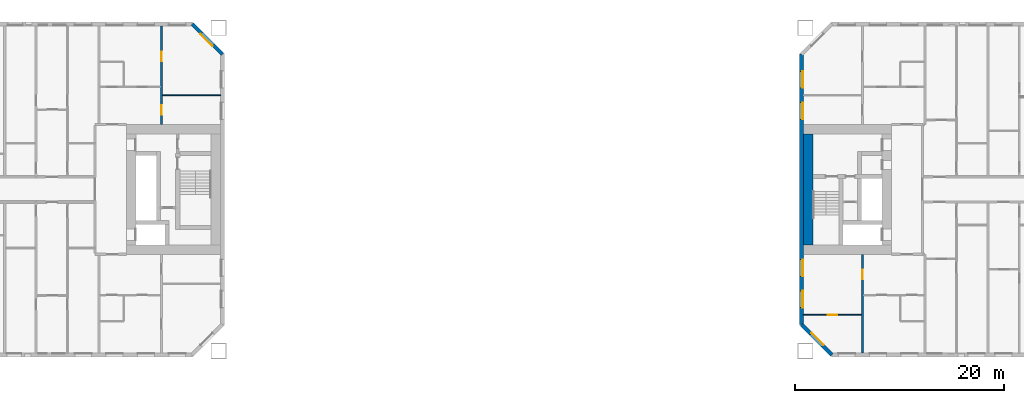
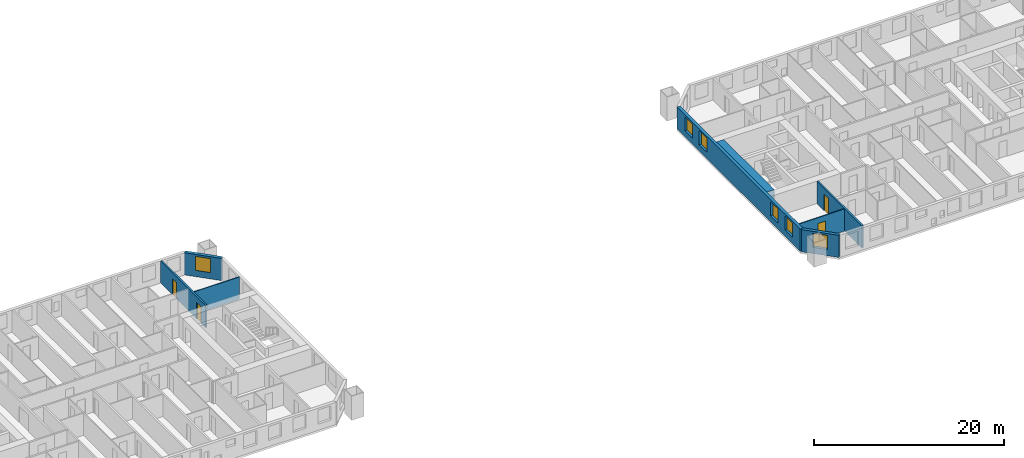
# One storey, part 9 of 17: 8 walls, 6 windows, 4 doors, 10 openings.
"""IFC4 building model written with IfcOpenShell, lengths in metres."""

from ifc_helpers import new_model, si_unit, direction, frame, frame_2d, origin, place, context, subcontext, project, spatial, rectangle, extrude, material, layer, layer_set, type_object, element, fill, save


model = new_model("IFC4")

# Units and contexts
model_context = context("Model", 3, precision=1e-05, world=origin(), true_north=direction((0.0, 1.0)))
body_context = subcontext(model_context, "Body", "Model", "MODEL_VIEW")
ifc_project = project(units=[si_unit("LENGTHUNIT", "METRE"), si_unit("AREAUNIT", "SQUARE_METRE"), si_unit("VOLUMEUNIT", "CUBIC_METRE"), si_unit("PLANEANGLEUNIT", "RADIAN"), si_unit("MASSUNIT", "GRAM", prefix="KILO")], contexts=[model_context])

# Site, building, storey
site_placement = place(None, origin())
site = spatial("IfcSite", under=ifc_project, at=site_placement, CompositionType="ELEMENT")
building_placement = place(site_placement, origin())
building = spatial("IfcBuilding", under=site, at=building_placement, Name="Tuart Gate Housing", CompositionType="ELEMENT")
storey_placement = place(building_placement, frame((0.0, 0.0, 28.800048828125)))
storey = spatial("IfcBuildingStorey", under=building, at=storey_placement, Name="L07", CompositionType="ELEMENT", Elevation=28.800048828125)

# Wall, opening, window
ifc_material_1 = material(Name="Brick", Category="masonry")
ifc_layer_1 = layer(ifc_material_1, 0.360107421875)
ifc_layer_set_1 = layer_set([ifc_layer_1], Name="Brick pier and spandrel wall 360")
wall_type_1 = type_object("IfcWallType", Name="Brick pier and spandrel wall 360", PredefinedType="STANDARD", material=ifc_layer_set_1)
wall_1_placement = place(storey_placement, frame((75.820068359375, 82.92529296875, 0.0), z_axis=(0.0, 0.0, 1.0), x_axis=(-0.707106781187, 0.707106781187, 0.0)))
wall_1 = element("IfcWall", 1, at=wall_1_placement, inside=storey, type_object=wall_type_1, Name="External wall A-NE L07", PredefinedType="STANDARD", context=body_context, shape_type="SweptSolid", body=[
    extrude(rectangle(XDim=4.09375, YDim=0.360107421875, at=frame_2d((2.046875, 0.0))), origin(), (0.0, 0.0, 1.0), 2.849853515625),
])
opening_1_placement = place(wall_1_placement, frame((1.2470703125, 0.0, 0.800048828125)))
opening_1 = element("IfcOpeningElement", 2, at=opening_1_placement, cuts=wall_1, Name="Opening W1", PredefinedType="OPENING", context=body_context, shape_type="SweptSolid", body=[
    extrude(rectangle(XDim=1.60009765625, YDim=1.800048828125, at=frame_2d((0.800048828125, 0.89990234375))), frame((0.0, 0.18994140625, 0.0), z_axis=(0.0, -1.0, 0.0), x_axis=(1.0, 0.0, 0.0)), (0.0, 0.0, 1.0), 0.380126953125),
])
ifc_material_2 = material(Name="Aluminium frame with clear glass", Category="aluminium")
window_type = type_object("IfcWindowType", Name="Punched window 1600 x 1800", PartitioningType="SINGLE_PANEL", PredefinedType="WINDOW", material=ifc_material_2)
window_1_placement = place(opening_1_placement, origin())
window_1 = element("IfcWindow", 3, at=window_1_placement, inside=storey, type_object=window_type, Name="Window W1", OverallHeight=1.800048828125, OverallWidth=1.60009765625, PartitioningType="SINGLE_PANEL", PredefinedType="WINDOW", context=body_context, shape_type="SweptSolid", body=[
    extrude(rectangle(XDim=1.60009765625, YDim=1.800048828125, at=frame_2d((0.800048828125, 0.89990234375))), frame((0.0, 0.150146484375, 0.0), z_axis=(0.0, -1.0, 0.0), x_axis=(1.0, 0.0, 0.0)), (0.0, 0.0, 1.0), 0.06005859375),
])
fill(opening_1, window_1)

wall_2_placement = place(storey_placement, frame((131.179931640625, 57.07470703125, 0.0), z_axis=(0.0, 0.0, 1.0), x_axis=(0.707106781187, -0.707106781187, 0.0)))
wall_2 = element("IfcWall", 4, at=wall_2_placement, inside=storey, type_object=wall_type_1, Name="External wall B-SW L07", PredefinedType="STANDARD", context=body_context, shape_type="SweptSolid", body=[
    extrude(rectangle(XDim=4.09375, YDim=0.360107421875, at=frame_2d((2.046875, 0.0))), origin(), (0.0, 0.0, 1.0), 2.849853515625),
])
opening_2_placement = place(wall_2_placement, frame((1.2470703125, 0.0, 0.800048828125)))
opening_2 = element("IfcOpeningElement", 5, at=opening_2_placement, cuts=wall_2, Name="Opening W1", PredefinedType="OPENING", context=body_context, shape_type="SweptSolid", body=[
    extrude(rectangle(XDim=1.60009765625, YDim=1.800048828125, at=frame_2d((0.800048828125, 0.89990234375))), frame((0.0, 0.18994140625, 0.0), z_axis=(0.0, -1.0, 0.0), x_axis=(1.0, 0.0, 0.0)), (0.0, 0.0, 1.0), 0.380126953125),
])
window_2_placement = place(opening_2_placement, origin())
window_2 = element("IfcWindow", 6, at=window_2_placement, inside=storey, type_object=window_type, Name="Window W1", OverallHeight=1.800048828125, OverallWidth=1.60009765625, PartitioningType="SINGLE_PANEL", PredefinedType="WINDOW", context=body_context, shape_type="SweptSolid", body=[
    extrude(rectangle(XDim=1.60009765625, YDim=1.800048828125, at=frame_2d((0.800048828125, 0.89990234375))), frame((0.0, 0.150146484375, 0.0), z_axis=(0.0, -1.0, 0.0), x_axis=(1.0, 0.0, 0.0)), (0.0, 0.0, 1.0), 0.06005859375),
])
fill(opening_2, window_2)

# Wall, openings, windows
wall_3_placement = place(storey_placement, frame((131.179931640625, 82.92529296875, 0.0), z_axis=(0.0, 0.0, 1.0), x_axis=(0.0, -1.0, 0.0)))
wall_3 = element("IfcWall", 7, at=wall_3_placement, inside=storey, type_object=wall_type_1, Name="External wall B-W L07", PredefinedType="STANDARD", context=body_context, shape_type="SweptSolid", body=[
    extrude(rectangle(XDim=25.850830078125, YDim=0.360107421875, at=frame_2d((12.92529296875, 0.0))), origin(), (0.0, 0.0, 1.0), 2.849853515625),
])
opening_3_placement = place(wall_3_placement, frame((1.62548828125, 0.0, 0.800048828125)))
opening_3 = element("IfcOpeningElement", 8, at=opening_3_placement, cuts=wall_3, Name="Opening W1", PredefinedType="OPENING", context=body_context, shape_type="SweptSolid", body=[
    extrude(rectangle(XDim=1.60009765625, YDim=1.800048828125, at=frame_2d((0.800048828125, 0.89990234375))), frame((0.0, 0.18994140625, 0.0), z_axis=(0.0, -1.0, 0.0), x_axis=(1.0, 0.0, 0.0)), (0.0, 0.0, 1.0), 0.380126953125),
])
opening_4_placement = place(wall_3_placement, frame((4.62548828125, 0.0, 0.800048828125)))
opening_4 = element("IfcOpeningElement", 9, at=opening_4_placement, cuts=wall_3, Name="Opening W1", PredefinedType="OPENING", context=body_context, shape_type="SweptSolid", body=[
    extrude(rectangle(XDim=1.60009765625, YDim=1.800048828125, at=frame_2d((0.800048828125, 0.89990234375))), frame((0.0, 0.18994140625, 0.0), z_axis=(0.0, -1.0, 0.0), x_axis=(1.0, 0.0, 0.0)), (0.0, 0.0, 1.0), 0.380126953125),
])
opening_5_placement = place(wall_3_placement, frame((19.62548828125, 0.0, 0.800048828125)))
opening_5 = element("IfcOpeningElement", 10, at=opening_5_placement, cuts=wall_3, Name="Opening W1", PredefinedType="OPENING", context=body_context, shape_type="SweptSolid", body=[
    extrude(rectangle(XDim=1.60009765625, YDim=1.800048828125, at=frame_2d((0.800048828125, 0.89990234375))), frame((0.0, 0.18994140625, 0.0), z_axis=(0.0, -1.0, 0.0), x_axis=(1.0, 0.0, 0.0)), (0.0, 0.0, 1.0), 0.380126953125),
])
opening_6_placement = place(wall_3_placement, frame((22.62548828125, 0.0, 0.800048828125)))
opening_6 = element("IfcOpeningElement", 11, at=opening_6_placement, cuts=wall_3, Name="Opening W1", PredefinedType="OPENING", context=body_context, shape_type="SweptSolid", body=[
    extrude(rectangle(XDim=1.60009765625, YDim=1.800048828125, at=frame_2d((0.800048828125, 0.89990234375))), frame((0.0, 0.18994140625, 0.0), z_axis=(0.0, -1.0, 0.0), x_axis=(1.0, 0.0, 0.0)), (0.0, 0.0, 1.0), 0.380126953125),
])
window_3_placement = place(opening_3_placement, origin())
window_3 = element("IfcWindow", 12, at=window_3_placement, inside=storey, type_object=window_type, Name="Window W1", OverallHeight=1.800048828125, OverallWidth=1.60009765625, PartitioningType="SINGLE_PANEL", PredefinedType="WINDOW", context=body_context, shape_type="SweptSolid", body=[
    extrude(rectangle(XDim=1.60009765625, YDim=1.800048828125, at=frame_2d((0.800048828125, 0.89990234375))), frame((0.0, 0.150146484375, 0.0), z_axis=(0.0, -1.0, 0.0), x_axis=(1.0, 0.0, 0.0)), (0.0, 0.0, 1.0), 0.06005859375),
])
fill(opening_3, window_3)
window_4_placement = place(opening_4_placement, origin())
window_4 = element("IfcWindow", 13, at=window_4_placement, inside=storey, type_object=window_type, Name="Window W1", OverallHeight=1.800048828125, OverallWidth=1.60009765625, PartitioningType="SINGLE_PANEL", PredefinedType="WINDOW", context=body_context, shape_type="SweptSolid", body=[
    extrude(rectangle(XDim=1.60009765625, YDim=1.800048828125, at=frame_2d((0.800048828125, 0.89990234375))), frame((0.0, 0.150146484375, 0.0), z_axis=(0.0, -1.0, 0.0), x_axis=(1.0, 0.0, 0.0)), (0.0, 0.0, 1.0), 0.06005859375),
])
fill(opening_4, window_4)
window_5_placement = place(opening_5_placement, origin())
window_5 = element("IfcWindow", 14, at=window_5_placement, inside=storey, type_object=window_type, Name="Window W1", OverallHeight=1.800048828125, OverallWidth=1.60009765625, PartitioningType="SINGLE_PANEL", PredefinedType="WINDOW", context=body_context, shape_type="SweptSolid", body=[
    extrude(rectangle(XDim=1.60009765625, YDim=1.800048828125, at=frame_2d((0.800048828125, 0.89990234375))), frame((0.0, 0.150146484375, 0.0), z_axis=(0.0, -1.0, 0.0), x_axis=(1.0, 0.0, 0.0)), (0.0, 0.0, 1.0), 0.06005859375),
])
fill(opening_5, window_5)
window_6_placement = place(opening_6_placement, origin())
window_6 = element("IfcWindow", 15, at=window_6_placement, inside=storey, type_object=window_type, Name="Window W1", OverallHeight=1.800048828125, OverallWidth=1.60009765625, PartitioningType="SINGLE_PANEL", PredefinedType="WINDOW", context=body_context, shape_type="SweptSolid", body=[
    extrude(rectangle(XDim=1.60009765625, YDim=1.800048828125, at=frame_2d((0.800048828125, 0.89990234375))), frame((0.0, 0.150146484375, 0.0), z_axis=(0.0, -1.0, 0.0), x_axis=(1.0, 0.0, 0.0)), (0.0, 0.0, 1.0), 0.06005859375),
])
fill(opening_6, window_6)

# Wall
ifc_material_3 = material(Name="Concrete C60", Category="concrete")
ifc_layer_2 = layer(ifc_material_3, 0.89990234375)
ifc_layer_set_2 = layer_set([ifc_layer_2], Name="Core wall 900 C60")
wall_type_2 = type_object("IfcWallType", Name="Core wall 900 C60", PredefinedType="SHEAR", material=ifc_layer_set_2)
wall_4_placement = place(storey_placement, frame((131.81005859375, 64.699951171875, 0.0), z_axis=(0.0, 0.0, 1.0), x_axis=(0.0, 1.0, 0.0)))
element("IfcWall", 16, at=wall_4_placement, inside=storey, type_object=wall_type_2, Name="Core wall BG back", PredefinedType="SHEAR", context=body_context, shape_type="SweptSolid", body=[
    extrude(rectangle(XDim=10.60009765625, YDim=0.89990234375, at=frame_2d((5.300048828125, 0.0))), origin(), (0.0, 0.0, 1.0), 2.849853515625),
])

# Wall, opening, door
ifc_material_4 = material(Name="Gypsum board on steel studs", Category="steel")
ifc_layer_3 = layer(ifc_material_4, 0.10009765625)
ifc_layer_set_3 = layer_set([ifc_layer_3], Name="Partition 100")
wall_type_3 = type_object("IfcWallType", Name="Partition 100", PredefinedType="PARTITIONING", material=ifc_layer_set_3)
wall_5_placement = place(storey_placement, frame((131.360107421875, 58.0, 0.0), z_axis=(0.0, 0.0, 1.0), x_axis=(1.0, 0.0, 0.0)))
wall_5 = element("IfcWall", 17, at=wall_5_placement, inside=storey, type_object=wall_type_3, Name="Partition 100", PredefinedType="PARTITIONING", context=body_context, shape_type="SweptSolid", body=[
    extrude(rectangle(XDim=5.539794921875, YDim=0.10009765625, at=frame_2d((2.77001953125, 0.0))), origin(), (0.0, 0.0, 1.0), 2.849853515625),
])
opening_7_placement = place(wall_5_placement, frame((2.320068359375, 0.0, 0.0)))
opening_7 = element("IfcOpeningElement", 18, at=opening_7_placement, cuts=wall_5, Name="Opening D583", PredefinedType="OPENING", context=body_context, shape_type="SweptSolid", body=[
    extrude(rectangle(XDim=0.89990234375, YDim=2.10009765625, at=frame_2d((0.449951171875, 1.050048828125))), frame((0.0, 0.06005859375, 0.0), z_axis=(0.0, -1.0, 0.0), x_axis=(1.0, 0.0, 0.0)), (0.0, 0.0, 1.0), 0.1201171875),
])
ifc_material_5 = material(Name="Timber door leaf in steel frame", Category="steel")
door_type_1 = type_object("IfcDoorType", Name="Internal door 900 RH", OperationType="SINGLE_SWING_RIGHT", PredefinedType="DOOR", material=ifc_material_5)
door_1_placement = place(opening_7_placement, frame((0.89990234375, 0.0, 0.0), z_axis=(0.0, 0.0, 1.0), x_axis=(-1.0, 0.0, 0.0)))
door_1 = element("IfcDoor", 19, at=door_1_placement, inside=storey, type_object=door_type_1, Name="Internal door", OperationType="SINGLE_SWING_RIGHT", OverallHeight=2.10009765625, OverallWidth=0.89990234375, PredefinedType="DOOR", context=body_context, shape_type="SweptSolid", body=[
    extrude(rectangle(XDim=0.89990234375, YDim=2.10009765625, at=frame_2d((0.449951171875, 1.050048828125))), frame((0.0, 0.025146484375, 0.0), z_axis=(0.0, -1.0, 0.0), x_axis=(1.0, 0.0, 0.0)), (0.0, 0.0, 1.0), 0.050048828125),
])
fill(opening_7, door_1)

# Wall
wall_6_placement = place(storey_placement, frame((70.10009765625, 79.0, 0.0), z_axis=(0.0, 0.0, 1.0), x_axis=(1.0, 0.0, 0.0)))
element("IfcWall", 20, at=wall_6_placement, inside=storey, type_object=wall_type_3, Name="Partition 100", PredefinedType="PARTITIONING", context=body_context, shape_type="SweptSolid", body=[
    extrude(rectangle(XDim=5.539794921875, YDim=0.10009765625, at=frame_2d((2.77001953125, 0.0))), origin(), (0.0, 0.0, 1.0), 2.849853515625),
])

# Wall, openings, doors
ifc_material_6 = material(Name="Concrete C40", Category="concrete")
ifc_layer_4 = layer(ifc_material_6, 0.199951171875)
ifc_layer_set_4 = layer_set([ifc_layer_4], Name="Party wall concrete C40 200")
wall_type_4 = type_object("IfcWallType", Name="Party wall concrete C40 200", PredefinedType="SOLIDWALL", material=ifc_layer_set_4)
wall_7_placement = place(storey_placement, frame((70.0, 76.199951171875, 0.0), z_axis=(0.0, 0.0, 1.0), x_axis=(0.0, 1.0, 0.0)))
wall_7 = element("IfcWall", 21, at=wall_7_placement, inside=storey, type_object=wall_type_4, Name="Party wall concrete C40 200", PredefinedType="SOLIDWALL", context=body_context, shape_type="SweptSolid", body=[
    extrude(rectangle(XDim=9.43994140625, YDim=0.199951171875, at=frame_2d((4.719970703125, 0.0))), origin(), (0.0, 0.0, 1.0), 2.849853515625),
])
opening_8_placement = place(wall_7_placement, frame((6.070068359375, 0.0, 0.0)))
opening_8 = element("IfcOpeningElement", 22, at=opening_8_placement, cuts=wall_7, Name="Opening D471", PredefinedType="OPENING", context=body_context, shape_type="SweptSolid", body=[
    extrude(rectangle(XDim=0.89990234375, YDim=2.10009765625, at=frame_2d((0.449951171875, 1.050048828125))), frame((0.0, 0.10986328125, 0.0), z_axis=(0.0, -1.0, 0.0), x_axis=(1.0, 0.0, 0.0)), (0.0, 0.0, 1.0), 0.219970703125),
])
opening_9_placement = place(wall_7_placement, frame((0.949951171875, 0.0, 0.0)))
opening_9 = element("IfcOpeningElement", 23, at=opening_9_placement, cuts=wall_7, Name="Opening D472", PredefinedType="OPENING", context=body_context, shape_type="SweptSolid", body=[
    extrude(rectangle(XDim=0.89990234375, YDim=2.10009765625, at=frame_2d((0.449951171875, 1.050048828125))), frame((0.0, 0.10986328125, 0.0), z_axis=(0.0, -1.0, 0.0), x_axis=(1.0, 0.0, 0.0)), (0.0, 0.0, 1.0), 0.219970703125),
])
ifc_material_7 = material(Name="Timber door leaf in steel frame", Category="steel")
door_type_2 = type_object("IfcDoorType", Name="Internal door 900", OperationType="SINGLE_SWING_LEFT", PredefinedType="DOOR", material=ifc_material_7)
door_2_placement = place(opening_8_placement, frame((0.89990234375, 0.0, 0.0), z_axis=(0.0, 0.0, 1.0), x_axis=(-1.0, 0.0, 0.0)))
door_2 = element("IfcDoor", 24, at=door_2_placement, inside=storey, type_object=door_type_2, Name="Internal door", OperationType="SINGLE_SWING_LEFT", OverallHeight=2.10009765625, OverallWidth=0.89990234375, PredefinedType="DOOR", context=body_context, shape_type="SweptSolid", body=[
    extrude(rectangle(XDim=0.89990234375, YDim=2.10009765625, at=frame_2d((0.449951171875, 1.050048828125))), frame((0.0, 0.025146484375, 0.0), z_axis=(0.0, -1.0, 0.0), x_axis=(1.0, 0.0, 0.0)), (0.0, 0.0, 1.0), 0.050048828125),
])
fill(opening_8, door_2)
door_3_placement = place(opening_9_placement, frame((0.89990234375, 0.0, 0.0), z_axis=(0.0, 0.0, 1.0), x_axis=(-1.0, 0.0, 0.0)))
door_3 = element("IfcDoor", 25, at=door_3_placement, inside=storey, type_object=door_type_1, Name="Internal door", OperationType="SINGLE_SWING_RIGHT", OverallHeight=2.10009765625, OverallWidth=0.89990234375, PredefinedType="DOOR", context=body_context, shape_type="SweptSolid", body=[
    extrude(rectangle(XDim=0.89990234375, YDim=2.10009765625, at=frame_2d((0.449951171875, 1.050048828125))), frame((0.0, 0.025146484375, 0.0), z_axis=(0.0, -1.0, 0.0), x_axis=(1.0, 0.0, 0.0)), (0.0, 0.0, 1.0), 0.050048828125),
])
fill(opening_9, door_3)

# Wall, opening, door
wall_8_placement = place(storey_placement, frame((137.0, 54.360107421875, 0.0), z_axis=(0.0, 0.0, 1.0), x_axis=(0.0, 1.0, 0.0)))
wall_8 = element("IfcWall", 26, at=wall_8_placement, inside=storey, type_object=wall_type_4, Name="Party wall concrete C40 200", PredefinedType="SOLIDWALL", context=body_context, shape_type="SweptSolid", body=[
    extrude(rectangle(XDim=9.43994140625, YDim=0.199951171875, at=frame_2d((4.719970703125, 0.0))), origin(), (0.0, 0.0, 1.0), 2.849853515625),
])
opening_10_placement = place(wall_8_placement, frame((7.0400390625, 0.0, 0.0)))
opening_10 = element("IfcOpeningElement", 27, at=opening_10_placement, cuts=wall_8, Name="Opening D582", PredefinedType="OPENING", context=body_context, shape_type="SweptSolid", body=[
    extrude(rectangle(XDim=0.89990234375, YDim=2.10009765625, at=frame_2d((0.449951171875, 1.050048828125))), frame((0.0, 0.10986328125, 0.0), z_axis=(0.0, -1.0, 0.0), x_axis=(1.0, 0.0, 0.0)), (0.0, 0.0, 1.0), 0.219970703125),
])
door_4_placement = place(opening_10_placement, frame((0.89990234375, 0.0, 0.0), z_axis=(0.0, 0.0, 1.0), x_axis=(-1.0, 0.0, 0.0)))
door_4 = element("IfcDoor", 28, at=door_4_placement, inside=storey, type_object=door_type_1, Name="Internal door", OperationType="SINGLE_SWING_RIGHT", OverallHeight=2.10009765625, OverallWidth=0.89990234375, PredefinedType="DOOR", context=body_context, shape_type="SweptSolid", body=[
    extrude(rectangle(XDim=0.89990234375, YDim=2.10009765625, at=frame_2d((0.449951171875, 1.050048828125))), frame((0.0, 0.025146484375, 0.0), z_axis=(0.0, -1.0, 0.0), x_axis=(1.0, 0.0, 0.0)), (0.0, 0.0, 1.0), 0.050048828125),
])
fill(opening_10, door_4)

save(model, "model.ifc")
